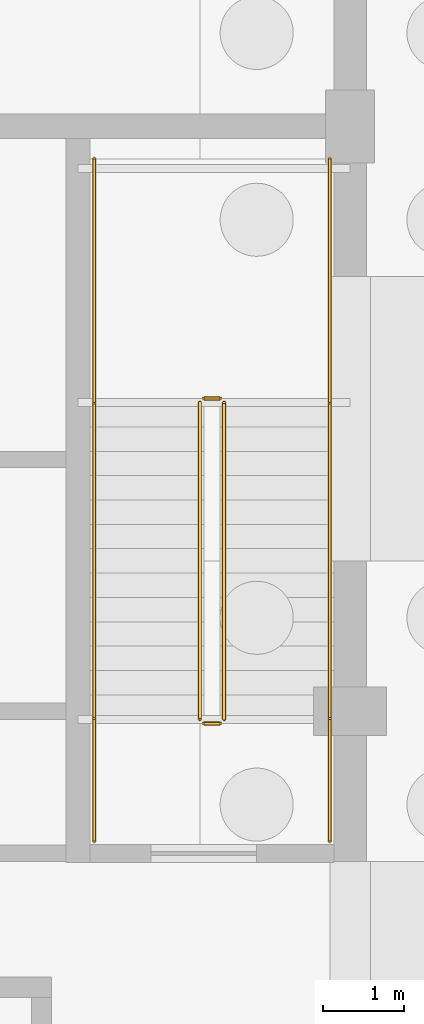
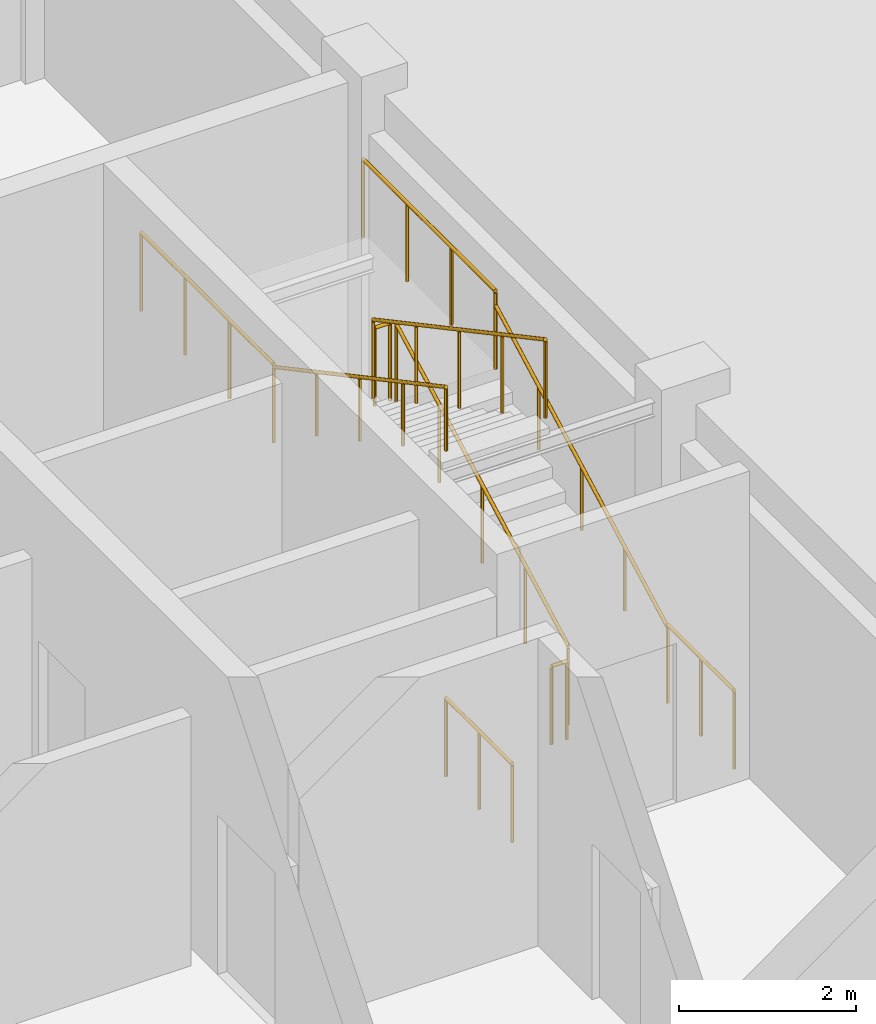
# One storey, part 40 of 51: 10 railings.
"""IFC4 building model written with IfcOpenShell, lengths in metres."""

from ifc_helpers import new_model, si_unit, direction, frame, origin, origin_2d, place, context, subcontext, project, spatial, circle, extrude, material, type_object, element, save


model = new_model("IFC4")

# Units and contexts
model_context = context("Model", 3, precision=1e-05, world=origin(), true_north=direction((0.0, 1.0)))
body_context = subcontext(model_context, "Body", "Model", "MODEL_VIEW")
ifc_project = project(units=[si_unit("LENGTHUNIT", "METRE"), si_unit("AREAUNIT", "SQUARE_METRE"), si_unit("VOLUMEUNIT", "CUBIC_METRE"), si_unit("PLANEANGLEUNIT", "RADIAN"), si_unit("MASSUNIT", "GRAM", prefix="KILO")], contexts=[model_context])

# Site, building, storey
site_placement = place(None, origin())
site = spatial("IfcSite", under=ifc_project, at=site_placement, CompositionType="ELEMENT")
building_placement = place(site_placement, origin())
building = spatial("IfcBuilding", under=site, at=building_placement, Name="Zlatovets Crest Museum", CompositionType="ELEMENT")
storey_placement = place(building_placement, frame((0.0, 0.0, -4.5)))
storey = spatial("IfcBuildingStorey", under=building, at=storey_placement, Name="B1", CompositionType="ELEMENT", Elevation=-4.5)

# Railings
ifc_material_1 = material(Name="Painted steel safety guardrail", Category="steel")
railing_type_1 = type_object("IfcRailingType", Name="StairGuard_SG01", PredefinedType="GUARDRAIL", material=ifc_material_1)
railing_1_placement = place(storey_placement, frame((106.449951171875, 14.300048828125, 0.16064453125)))
element("IfcRailing", 1, at=railing_1_placement, inside=storey, type_object=railing_type_1, Name="B1 ST9 stair guard 1", PredefinedType="GUARDRAIL", context=body_context, shape_type="SweptSolid", body=[
    extrude(circle(Radius=0.02392578125, at=origin_2d()), frame((0.0, 0.0, 1.076171875), z_axis=(0.0, 0.881468485026, 0.472242850561), x_axis=(-1.0, 0.0, 0.0)), (0.0, 0.0, 1.0), 4.42431640625),
    extrude(circle(Radius=0.02099609375, at=origin_2d()), origin(), (0.0, 0.0, 1.0), 1.052001953125),
    extrude(circle(Radius=0.02099609375, at=origin_2d()), frame((0.0, 0.97509765625, 0.5224609375)), (0.0, 0.0, 1.0), 1.052001953125),
    extrude(circle(Radius=0.02099609375, at=origin_2d()), frame((0.0, 1.949951171875, 1.044677734375)), (0.0, 0.0, 1.0), 1.052001953125),
    extrude(circle(Radius=0.02099609375, at=origin_2d()), frame((0.0, 2.9248046875, 1.56689453125)), (0.0, 0.0, 1.0), 1.052001953125),
    extrude(circle(Radius=0.02099609375, at=origin_2d()), frame((0.0, 3.89990234375, 2.08935546875)), (0.0, 0.0, 1.0), 1.052001953125),
])
railing_2_placement = place(storey_placement, frame((106.39990234375, 18.25, 2.25)))
element("IfcRailing", 2, at=railing_2_placement, inside=storey, type_object=railing_type_1, Name="B1 ST9 stair guard 2", PredefinedType="GUARDRAIL", context=body_context, shape_type="SweptSolid", body=[
    extrude(circle(Radius=0.02392578125, at=origin_2d()), frame((0.0, 0.0, 1.076171875), z_axis=(-1.0, 0.0, 0.0), x_axis=(0.0, -1.0, 0.0)), (0.0, 0.0, 1.0), 0.199951171875),
    extrude(circle(Radius=0.02099609375, at=origin_2d()), origin(), (0.0, 0.0, 1.0), 1.052001953125),
    extrude(circle(Radius=0.02099609375, at=origin_2d()), frame((-0.199951171875, 0.0, 0.0)), (0.0, 0.0, 1.0), 1.052001953125),
])
for number, where, name in (
    (3, (107.75, 18.199951171875, 2.25), "B1 ST9 stair guard 3"),
    (4, (104.85009765625, 18.199951171875, 2.25), "B1 ST9 stair guard 4"),
):
    element("IfcRailing", number, at=place(storey_placement, frame(where)), inside=storey, type_object=railing_type_1, Name=name, PredefinedType="GUARDRAIL", context=body_context, shape_type="SweptSolid", body=[
        extrude(circle(Radius=0.02392578125, at=origin_2d()), frame((0.0, 0.0, 1.076171875), z_axis=(0.0, 1.0, 0.0), x_axis=(-1.0, 0.0, 0.0)), (0.0, 0.0, 1.0), 3.0),
        extrude(circle(Radius=0.02099609375, at=origin_2d()), origin(), (0.0, 0.0, 1.0), 1.052001953125),
        extrude(circle(Radius=0.02099609375, at=origin_2d()), frame((0.0, 1.0, 0.0)), (0.0, 0.0, 1.0), 1.052001953125),
        extrude(circle(Radius=0.02099609375, at=origin_2d()), frame((0.0, 2.0, 0.0)), (0.0, 0.0, 1.0), 1.052001953125),
        extrude(circle(Radius=0.02099609375, at=origin_2d()), frame((0.0, 3.0, 0.0)), (0.0, 0.0, 1.0), 1.052001953125),
    ])
railing_3_placement = place(storey_placement, frame((106.14990234375, 18.199951171875, 2.41064453125)))
element("IfcRailing", 5, at=railing_3_placement, inside=storey, type_object=railing_type_1, Name="B1 ST9 stair guard 5", PredefinedType="GUARDRAIL", context=body_context, shape_type="SweptSolid", body=[
    extrude(circle(Radius=0.02392578125, at=origin_2d()), frame((0.0, 0.0, 1.076171875), z_axis=(0.0, -0.881468485026, 0.472242850561), x_axis=(1.0, 0.0, 0.0)), (0.0, 0.0, 1.0), 4.42431640625),
    extrude(circle(Radius=0.02099609375, at=origin_2d()), origin(), (0.0, 0.0, 1.0), 1.052001953125),
    extrude(circle(Radius=0.02099609375, at=origin_2d()), frame((0.0, -0.97509765625, 0.5224609375)), (0.0, 0.0, 1.0), 1.052001953125),
    extrude(circle(Radius=0.02099609375, at=origin_2d()), frame((0.0, -1.949951171875, 1.044677734375)), (0.0, 0.0, 1.0), 1.052001953125),
    extrude(circle(Radius=0.02099609375, at=origin_2d()), frame((0.0, -2.9248046875, 1.56689453125)), (0.0, 0.0, 1.0), 1.052001953125),
    extrude(circle(Radius=0.02099609375, at=origin_2d()), frame((0.0, -3.89990234375, 2.08935546875)), (0.0, 0.0, 1.0), 1.052001953125),
])
railing_4_placement = place(storey_placement, frame((106.39990234375, 14.25, 0.0)))
element("IfcRailing", 6, at=railing_4_placement, inside=storey, type_object=railing_type_1, Name="B1 ST9 stair guard 6", PredefinedType="GUARDRAIL", context=body_context, shape_type="SweptSolid", body=[
    extrude(circle(Radius=0.02392578125, at=origin_2d()), frame((0.0, 0.0, 1.076171875), z_axis=(-1.0, 0.0, 0.0), x_axis=(0.0, -1.0, 0.0)), (0.0, 0.0, 1.0), 0.199951171875),
    extrude(circle(Radius=0.02099609375, at=origin_2d()), origin(), (0.0, 0.0, 1.0), 1.052001953125),
    extrude(circle(Radius=0.02099609375, at=origin_2d()), frame((-0.199951171875, 0.0, 0.0)), (0.0, 0.0, 1.0), 1.052001953125),
])
for number, where, name in (
    (7, (107.75, 12.800048828125, 0.0), "B1 ST9 stair guard 7"),
    (8, (104.85009765625, 12.800048828125, 0.0), "B1 ST9 stair guard 8"),
):
    element("IfcRailing", number, at=place(storey_placement, frame(where)), inside=storey, type_object=railing_type_1, Name=name, PredefinedType="GUARDRAIL", context=body_context, shape_type="SweptSolid", body=[
        extrude(circle(Radius=0.02392578125, at=origin_2d()), frame((0.0, 0.0, 1.076171875), z_axis=(0.0, 1.0, 0.0), x_axis=(-1.0, 0.0, 0.0)), (0.0, 0.0, 1.0), 1.5),
        extrude(circle(Radius=0.02099609375, at=origin_2d()), origin(), (0.0, 0.0, 1.0), 1.052001953125),
        extrude(circle(Radius=0.02099609375, at=origin_2d()), frame((0.0, 0.75, 0.0)), (0.0, 0.0, 1.0), 1.052001953125),
        extrude(circle(Radius=0.02099609375, at=origin_2d()), frame((0.0, 1.5, 0.0)), (0.0, 0.0, 1.0), 1.052001953125),
    ])
ifc_material_2 = material(Name="Brushed bronze stair handrail")
railing_type_2 = type_object("IfcRailingType", Name="StairHandrail_SH01", PredefinedType="HANDRAIL", material=ifc_material_2)
railing_5_placement = place(storey_placement, frame((107.75, 14.300048828125, 0.16064453125)))
element("IfcRailing", 9, at=railing_5_placement, inside=storey, type_object=railing_type_2, Name="B1 ST9 stair handrail 1", PredefinedType="HANDRAIL", context=body_context, shape_type="SweptSolid", body=[
    extrude(circle(Radius=0.02392578125, at=origin_2d()), frame((0.0, 0.0, 0.8759765625), z_axis=(0.0, 0.881468485026, 0.472242850561), x_axis=(-1.0, 0.0, 0.0)), (0.0, 0.0, 1.0), 4.42431640625),
    extrude(circle(Radius=0.02099609375, at=origin_2d()), origin(), (0.0, 0.0, 1.0), 0.851806640625),
    extrude(circle(Radius=0.02099609375, at=origin_2d()), frame((0.0, 0.97509765625, 0.5224609375)), (0.0, 0.0, 1.0), 0.851806640625),
    extrude(circle(Radius=0.02099609375, at=origin_2d()), frame((0.0, 1.949951171875, 1.044677734375)), (0.0, 0.0, 1.0), 0.851806640625),
    extrude(circle(Radius=0.02099609375, at=origin_2d()), frame((0.0, 2.9248046875, 1.56689453125)), (0.0, 0.0, 1.0), 0.851806640625),
    extrude(circle(Radius=0.02099609375, at=origin_2d()), frame((0.0, 3.89990234375, 2.08935546875)), (0.0, 0.0, 1.0), 0.851806640625),
])
railing_6_placement = place(storey_placement, frame((104.85009765625, 18.199951171875, 2.41064453125)))
element("IfcRailing", 10, at=railing_6_placement, inside=storey, type_object=railing_type_2, Name="B1 ST9 stair handrail 2", PredefinedType="HANDRAIL", context=body_context, shape_type="SweptSolid", body=[
    extrude(circle(Radius=0.02392578125, at=origin_2d()), frame((0.0, 0.0, 0.8759765625), z_axis=(0.0, -0.881468485026, 0.472242850561), x_axis=(1.0, 0.0, 0.0)), (0.0, 0.0, 1.0), 4.42431640625),
    extrude(circle(Radius=0.02099609375, at=origin_2d()), origin(), (0.0, 0.0, 1.0), 0.851806640625),
    extrude(circle(Radius=0.02099609375, at=origin_2d()), frame((0.0, -0.97509765625, 0.5224609375)), (0.0, 0.0, 1.0), 0.851806640625),
    extrude(circle(Radius=0.02099609375, at=origin_2d()), frame((0.0, -1.949951171875, 1.044677734375)), (0.0, 0.0, 1.0), 0.851806640625),
    extrude(circle(Radius=0.02099609375, at=origin_2d()), frame((0.0, -2.9248046875, 1.56689453125)), (0.0, 0.0, 1.0), 0.851806640625),
    extrude(circle(Radius=0.02099609375, at=origin_2d()), frame((0.0, -3.89990234375, 2.08935546875)), (0.0, 0.0, 1.0), 0.851806640625),
])

save(model, "model.ifc")
